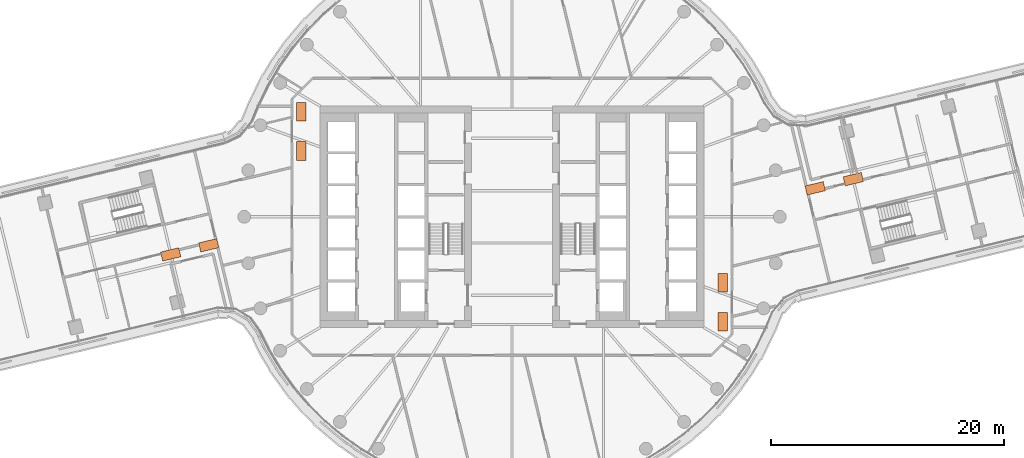
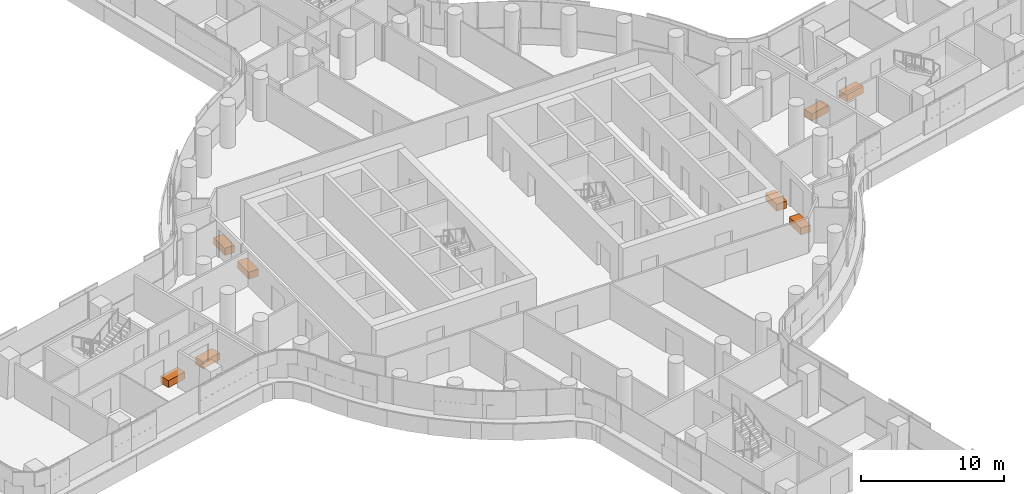
# One storey, part 33 of 33: 8 proxies.
"""IFC4 building model written with IfcOpenShell, lengths in metres."""

from ifc_helpers import new_model, si_unit, direction, frame, origin, origin_2d, place, context, subcontext, project, spatial, rectangle, extrude, material, type_object, element, save


model = new_model("IFC4")

# Units and contexts
model_context = context("Model", 3, precision=1e-05, world=origin(), true_north=direction((0.0, 1.0)))
body_context = subcontext(model_context, "Body", "Model", "MODEL_VIEW")
ifc_project = project(units=[si_unit("LENGTHUNIT", "METRE"), si_unit("AREAUNIT", "SQUARE_METRE"), si_unit("VOLUMEUNIT", "CUBIC_METRE"), si_unit("PLANEANGLEUNIT", "RADIAN"), si_unit("MASSUNIT", "GRAM", prefix="KILO")], contexts=[model_context])

# Site, building, storey
site_placement = place(None, origin())
site = spatial("IfcSite", under=ifc_project, at=site_placement, CompositionType="ELEMENT")
building_placement = place(site_placement, origin())
building = spatial("IfcBuilding", under=site, at=building_placement, Name="Tamarind Cross Interchange Tower", CompositionType="ELEMENT")
storey_placement = place(building_placement, frame((0.0, 0.0, 83.5)))
storey = spatial("IfcBuildingStorey", under=building, at=storey_placement, Name="L19", CompositionType="ELEMENT", Elevation=83.5)

# Proxies
ifc_material = material(Name="Concrete C30", Category="concrete")
building_element_proxy_type = type_object("IfcBuildingElementProxyType", Name="Planter", PredefinedType="USERDEFINED", material=ifc_material)
proxy_1_placement = place(storey_placement, origin())
element("IfcBuildingElementProxy", 1, at=proxy_1_placement, inside=storey, type_object=building_element_proxy_type, Name="PLT-L19-WG-L19-EN-0", ObjectType="Planter", PredefinedType="USERDEFINED", context=body_context, shape_type="SweptSolid", body=[
    extrude(rectangle(XDim=1.60009765625, YDim=0.800048828125, at=origin_2d()), frame((29.316650390625, 3.231689453125, 0.0), z_axis=(0.0, 0.0, 1.0), x_axis=(-0.972345468725, -0.233547188916, 0.0)), (0.0, 0.0, 1.0), 0.60009765625),
])
proxy_2_placement = place(storey_placement, origin())
element("IfcBuildingElementProxy", 2, at=proxy_2_placement, inside=storey, type_object=building_element_proxy_type, Name="PLT-L19-WG-L19-EN-1", ObjectType="Planter", PredefinedType="USERDEFINED", context=body_context, shape_type="SweptSolid", body=[
    extrude(rectangle(XDim=1.60009765625, YDim=0.800048828125, at=origin_2d()), frame((26.049560546875, 2.447021484375, 0.0), z_axis=(0.0, 0.0, 1.0), x_axis=(-0.972345468725, -0.233547188916, 0.0)), (0.0, 0.0, 1.0), 0.60009765625),
])
proxy_3_placement = place(storey_placement, origin())
element("IfcBuildingElementProxy", 3, at=proxy_3_placement, inside=storey, type_object=building_element_proxy_type, Name="PLT-L19-WG-L19-NW-0", ObjectType="Planter", PredefinedType="USERDEFINED", context=body_context, shape_type="SweptSolid", body=[
    extrude(rectangle(XDim=1.60009765625, YDim=0.800048828125, at=origin_2d()), frame((-18.10009765625, 9.01318359375, 0.0), z_axis=(0.0, 0.0, 1.0), x_axis=(0.0, -1.0, 0.0)), (0.0, 0.0, 1.0), 0.60009765625),
])
proxy_4_placement = place(storey_placement, origin())
element("IfcBuildingElementProxy", 4, at=proxy_4_placement, inside=storey, type_object=building_element_proxy_type, Name="PLT-L19-WG-L19-NW-1", ObjectType="Planter", PredefinedType="USERDEFINED", context=body_context, shape_type="SweptSolid", body=[
    extrude(rectangle(XDim=1.60009765625, YDim=0.800048828125, at=origin_2d()), frame((-18.10009765625, 5.653076171875, 0.0), z_axis=(0.0, 0.0, 1.0), x_axis=(0.0, -1.0, 0.0)), (0.0, 0.0, 1.0), 0.60009765625),
])
proxy_5_placement = place(storey_placement, origin())
element("IfcBuildingElementProxy", 5, at=proxy_5_placement, inside=storey, type_object=building_element_proxy_type, Name="PLT-L19-WG-L19-SE-0", ObjectType="Planter", PredefinedType="USERDEFINED", context=body_context, shape_type="SweptSolid", body=[
    extrude(rectangle(XDim=1.60009765625, YDim=0.800048828125, at=origin_2d()), frame((18.10009765625, -9.01318359375, 0.0), z_axis=(0.0, 0.0, 1.0), x_axis=(0.0, 1.0, 0.0)), (0.0, 0.0, 1.0), 0.60009765625),
])
proxy_6_placement = place(storey_placement, origin())
element("IfcBuildingElementProxy", 6, at=proxy_6_placement, inside=storey, type_object=building_element_proxy_type, Name="PLT-L19-WG-L19-SE-1", ObjectType="Planter", PredefinedType="USERDEFINED", context=body_context, shape_type="SweptSolid", body=[
    extrude(rectangle(XDim=1.60009765625, YDim=0.800048828125, at=origin_2d()), frame((18.10009765625, -5.653076171875, 0.0), z_axis=(0.0, 0.0, 1.0), x_axis=(0.0, 1.0, 0.0)), (0.0, 0.0, 1.0), 0.60009765625),
])
proxy_7_placement = place(storey_placement, origin())
element("IfcBuildingElementProxy", 7, at=proxy_7_placement, inside=storey, type_object=building_element_proxy_type, Name="PLT-L19-WG-L19-WS-0", ObjectType="Planter", PredefinedType="USERDEFINED", context=body_context, shape_type="SweptSolid", body=[
    extrude(rectangle(XDim=1.60009765625, YDim=0.800048828125, at=origin_2d()), frame((-29.316650390625, -3.231689453125, 0.0), z_axis=(0.0, 0.0, 1.0), x_axis=(0.972345468725, 0.233547188916, 0.0)), (0.0, 0.0, 1.0), 0.60009765625),
])
proxy_8_placement = place(storey_placement, origin())
element("IfcBuildingElementProxy", 8, at=proxy_8_placement, inside=storey, type_object=building_element_proxy_type, Name="PLT-L19-WG-L19-WS-1", ObjectType="Planter", PredefinedType="USERDEFINED", context=body_context, shape_type="SweptSolid", body=[
    extrude(rectangle(XDim=1.60009765625, YDim=0.800048828125, at=origin_2d()), frame((-26.049560546875, -2.447021484375, 0.0), z_axis=(0.0, 0.0, 1.0), x_axis=(0.972345468725, 0.233547188916, 0.0)), (0.0, 0.0, 1.0), 0.60009765625),
])

save(model, "model.ifc")
